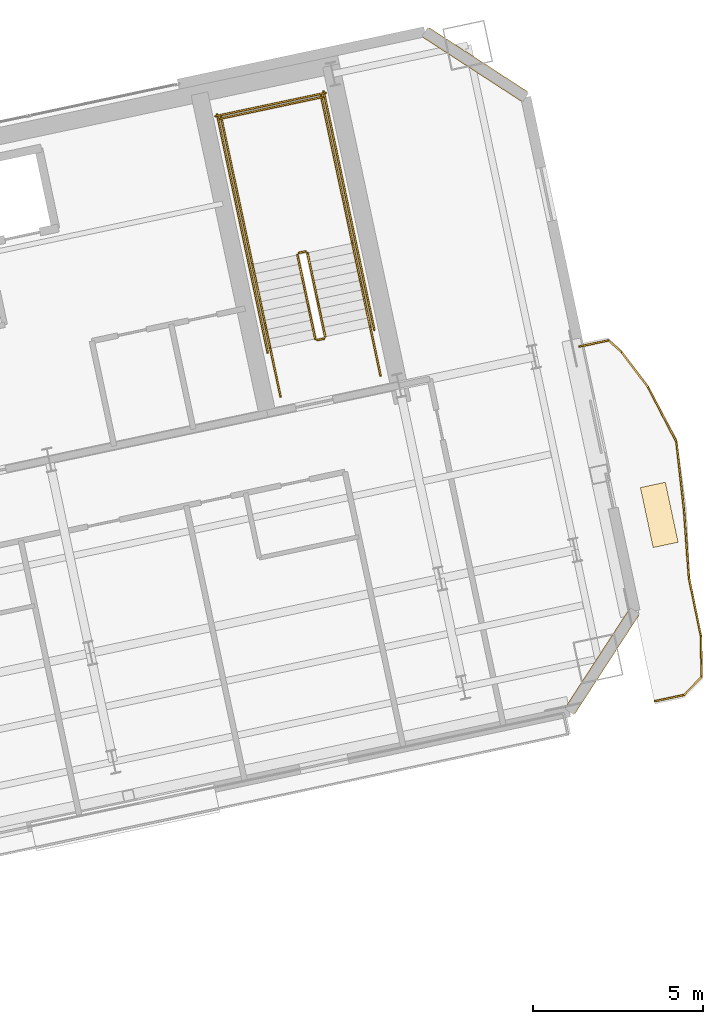
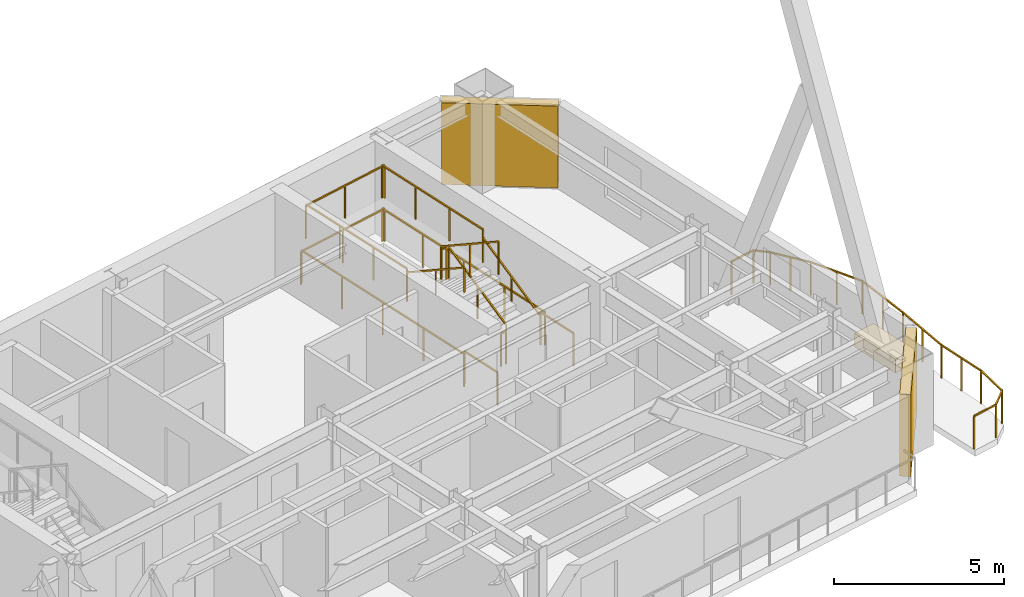
# One storey, part 19 of 19: 24 railings, 2 shading devices, 1 covering.
"""IFC4 building model written with IfcOpenShell, lengths in metres."""

from ifc_helpers import new_model, si_unit, direction, frame, origin, origin_2d, place, context, subcontext, project, spatial, rectangle, extrude, material, layer, layer_set, type_object, element, save


model = new_model("IFC4")

# Units and contexts
model_context = context("Model", 3, precision=1e-05, world=origin(), true_north=direction((0.0, 1.0)))
body_context = subcontext(model_context, "Body", "Model", "MODEL_VIEW")
ifc_project = project(units=[si_unit("LENGTHUNIT", "METRE"), si_unit("AREAUNIT", "SQUARE_METRE"), si_unit("VOLUMEUNIT", "CUBIC_METRE"), si_unit("PLANEANGLEUNIT", "RADIAN"), si_unit("MASSUNIT", "GRAM", prefix="KILO")], contexts=[model_context])

# Site, building, storey
site_placement = place(None, origin())
site = spatial("IfcSite", under=ifc_project, at=site_placement, CompositionType="ELEMENT")
building_placement = place(site_placement, origin())
building = spatial("IfcBuilding", under=site, at=building_placement, Name="Haevon Station Towers", CompositionType="ELEMENT")
storey_placement = place(building_placement, frame((0.0, 0.0, 156.0)))
storey = spatial("IfcBuildingStorey", under=building, at=storey_placement, Name="L42", CompositionType="ELEMENT", Elevation=156.0)

# Railings
ifc_material_1 = material(Name="Steel S355", Category="steel")
railing_type_1 = type_object("IfcRailingType", Name="GRD-EXT1200", PredefinedType="GUARDRAIL", material=ifc_material_1)
railing_1_placement = place(storey_placement, frame((126.807861328125, 32.541259765625, 0.0)))
element("IfcRailing", 1, at=railing_1_placement, inside=storey, type_object=railing_type_1, Name="L42 Perimeter Guardrail 1", PredefinedType="GUARDRAIL", context=body_context, shape_type="SweptSolid", body=[
    extrude(rectangle(XDim=0.048095703125, YDim=0.048095703125, at=origin_2d()), frame((0.0, 0.0, 1.17578125), z_axis=(0.977695451476, 0.210027627141, 0.0), x_axis=(-0.210027627141, 0.977695451476, 0.0)), (0.0, 0.0, 1.0), 0.869384765625),
    extrude(rectangle(XDim=0.0419921875, YDim=0.0419921875, at=origin_2d()), origin(), (0.0, 0.0, 1.0), 1.15185546875),
    extrude(rectangle(XDim=0.0419921875, YDim=0.0419921875, at=origin_2d()), frame((0.85009765625, 0.1826171875, 0.0)), (0.0, 0.0, 1.0), 1.15185546875),
])
railing_2_placement = place(storey_placement, frame((127.657958984375, 32.723876953125, 0.0)))
element("IfcRailing", 2, at=railing_2_placement, inside=storey, type_object=railing_type_1, Name="L42 Perimeter Guardrail 2", PredefinedType="GUARDRAIL", context=body_context, shape_type="SweptSolid", body=[
    extrude(rectangle(XDim=0.048095703125, YDim=0.048095703125, at=origin_2d()), frame((0.0, 0.0, 1.17578125), z_axis=(0.699844816207, 0.714294920343, 0.0), x_axis=(-0.714294920343, 0.699844816207, 0.0)), (0.0, 0.0, 1.0), 0.743408203125),
    extrude(rectangle(XDim=0.0419921875, YDim=0.0419921875, at=origin_2d()), origin(), (0.0, 0.0, 1.0), 1.15185546875),
    extrude(rectangle(XDim=0.0419921875, YDim=0.0419921875, at=origin_2d()), frame((0.520263671875, 0.531005859375, 0.0)), (0.0, 0.0, 1.0), 1.15185546875),
])
railing_3_placement = place(storey_placement, frame((128.17822265625, 33.2548828125, 0.0)))
element("IfcRailing", 3, at=railing_3_placement, inside=storey, type_object=railing_type_1, Name="L42 Perimeter Guardrail 3", PredefinedType="GUARDRAIL", context=body_context, shape_type="SweptSolid", body=[
    extrude(rectangle(XDim=0.048095703125, YDim=0.048095703125, at=origin_2d()), frame((0.0, 0.0, 1.17578125), z_axis=(-0.018230938012, 0.999833802639, 0.0), x_axis=(-0.999833802639, -0.018230938012, 0.0)), (0.0, 0.0, 1.0), 1.19189453125),
    extrude(rectangle(XDim=0.0419921875, YDim=0.0419921875, at=origin_2d()), origin(), (0.0, 0.0, 1.0), 1.15185546875),
    extrude(rectangle(XDim=0.0419921875, YDim=0.0419921875, at=origin_2d()), frame((-0.021728515625, 1.191650390625, 0.0)), (0.0, 0.0, 1.0), 1.15185546875),
])
railing_4_placement = place(storey_placement, frame((128.156494140625, 34.446533203125, 0.0)))
element("IfcRailing", 4, at=railing_4_placement, inside=storey, type_object=railing_type_1, Name="L42 Perimeter Guardrail 4", PredefinedType="GUARDRAIL", context=body_context, shape_type="SweptSolid", body=[
    extrude(rectangle(XDim=0.048095703125, YDim=0.048095703125, at=origin_2d()), frame((0.0, 0.0, 1.17578125), z_axis=(-0.200861770676, 0.979619594067, 0.0), x_axis=(-0.979619594067, -0.200861770676, 0.0)), (0.0, 0.0, 1.0), 1.750244140625),
    extrude(rectangle(XDim=0.0419921875, YDim=0.0419921875, at=origin_2d()), origin(), (0.0, 0.0, 1.0), 1.15185546875),
    extrude(rectangle(XDim=0.0419921875, YDim=0.0419921875, at=origin_2d()), frame((-0.17578125, 0.857421875, 0.0)), (0.0, 0.0, 1.0), 1.15185546875),
    extrude(rectangle(XDim=0.0419921875, YDim=0.0419921875, at=origin_2d()), frame((-0.3515625, 1.714599609375, 0.0)), (0.0, 0.0, 1.0), 1.15185546875),
])
railing_5_placement = place(storey_placement, frame((127.804931640625, 36.1611328125, 0.0)))
element("IfcRailing", 5, at=railing_5_placement, inside=storey, type_object=railing_type_1, Name="L42 Perimeter Guardrail 5", PredefinedType="GUARDRAIL", context=body_context, shape_type="SweptSolid", body=[
    extrude(rectangle(XDim=0.048095703125, YDim=0.048095703125, at=origin_2d()), frame((0.0, 0.0, 1.17578125), z_axis=(-0.072603881336, 0.997360855666, 0.0), x_axis=(-0.997360855666, -0.072603881336, 0.0)), (0.0, 0.0, 1.0), 2.007568359375),
    extrude(rectangle(XDim=0.0419921875, YDim=0.0419921875, at=origin_2d()), origin(), (0.0, 0.0, 1.0), 1.15185546875),
    extrude(rectangle(XDim=0.0419921875, YDim=0.0419921875, at=origin_2d()), frame((-0.07275390625, 1.0009765625, 0.0)), (0.0, 0.0, 1.0), 1.15185546875),
    extrude(rectangle(XDim=0.0419921875, YDim=0.0419921875, at=origin_2d()), frame((-0.145751953125, 2.002197265625, 0.0)), (0.0, 0.0, 1.0), 1.15185546875),
])
railing_6_placement = place(storey_placement, frame((127.6591796875, 38.163330078125, 0.0)))
element("IfcRailing", 6, at=railing_6_placement, inside=storey, type_object=railing_type_1, Name="L42 Perimeter Guardrail 6", PredefinedType="GUARDRAIL", context=body_context, shape_type="SweptSolid", body=[
    extrude(rectangle(XDim=0.048095703125, YDim=0.048095703125, at=origin_2d()), frame((0.0, 0.0, 1.17578125), z_axis=(-0.111367614102, 0.993779278577, 0.0), x_axis=(-0.993779278577, -0.111367614102, 0.0)), (0.0, 0.0, 1.0), 2.003662109375),
    extrude(rectangle(XDim=0.0419921875, YDim=0.0419921875, at=origin_2d()), origin(), (0.0, 0.0, 1.0), 1.15185546875),
    extrude(rectangle(XDim=0.0419921875, YDim=0.0419921875, at=origin_2d()), frame((-0.111572265625, 0.99560546875, 0.0)), (0.0, 0.0, 1.0), 1.15185546875),
    extrude(rectangle(XDim=0.0419921875, YDim=0.0419921875, at=origin_2d()), frame((-0.22314453125, 1.9912109375, 0.0)), (0.0, 0.0, 1.0), 1.15185546875),
])
railing_7_placement = place(storey_placement, frame((127.43603515625, 40.154541015625, 0.0)))
element("IfcRailing", 7, at=railing_7_placement, inside=storey, type_object=railing_type_1, Name="L42 Perimeter Guardrail 7", PredefinedType="GUARDRAIL", context=body_context, shape_type="SweptSolid", body=[
    extrude(rectangle(XDim=0.048095703125, YDim=0.048095703125, at=origin_2d()), frame((0.0, 0.0, 1.17578125), z_axis=(-0.460970518106, 0.887415450303, 0.0), x_axis=(-0.887415450303, -0.460970518106, 0.0)), (0.0, 0.0, 1.0), 1.810302734375),
    extrude(rectangle(XDim=0.0419921875, YDim=0.0419921875, at=origin_2d()), origin(), (0.0, 0.0, 1.0), 1.15185546875),
    extrude(rectangle(XDim=0.0419921875, YDim=0.0419921875, at=origin_2d()), frame((-0.417236328125, 0.80322265625, 0.0)), (0.0, 0.0, 1.0), 1.15185546875),
    extrude(rectangle(XDim=0.0419921875, YDim=0.0419921875, at=origin_2d()), frame((-0.83447265625, 1.6064453125, 0.0)), (0.0, 0.0, 1.0), 1.15185546875),
])
railing_8_placement = place(storey_placement, frame((126.6015625, 41.760986328125, 0.0)))
element("IfcRailing", 8, at=railing_8_placement, inside=storey, type_object=railing_type_1, Name="L42 Perimeter Guardrail 8", PredefinedType="GUARDRAIL", context=body_context, shape_type="SweptSolid", body=[
    extrude(rectangle(XDim=0.048095703125, YDim=0.048095703125, at=origin_2d()), frame((0.0, 0.0, 1.17578125), z_axis=(-0.602477349531, 0.798135980458, 0.0), x_axis=(-0.798135980458, -0.602477349531, 0.0)), (0.0, 0.0, 1.0), 1.29150390625),
    extrude(rectangle(XDim=0.0419921875, YDim=0.0419921875, at=origin_2d()), origin(), (0.0, 0.0, 1.0), 1.15185546875),
    extrude(rectangle(XDim=0.0419921875, YDim=0.0419921875, at=origin_2d()), frame((-0.38916015625, 0.515380859375, 0.0)), (0.0, 0.0, 1.0), 1.15185546875),
    extrude(rectangle(XDim=0.0419921875, YDim=0.0419921875, at=origin_2d()), frame((-0.778076171875, 1.03076171875, 0.0)), (0.0, 0.0, 1.0), 1.15185546875),
])
railing_9_placement = place(storey_placement, frame((125.823486328125, 42.791748046875, 0.0)))
element("IfcRailing", 9, at=railing_9_placement, inside=storey, type_object=railing_type_1, Name="L42 Perimeter Guardrail 9", PredefinedType="GUARDRAIL", context=body_context, shape_type="SweptSolid", body=[
    extrude(rectangle(XDim=0.048095703125, YDim=0.048095703125, at=origin_2d()), frame((0.0, 0.0, 1.17578125), z_axis=(-0.743341898555, 0.668911669694, 0.0), x_axis=(-0.668911669694, -0.743341898555, 0.0)), (0.0, 0.0, 1.0), 0.50830078125),
    extrude(rectangle(XDim=0.0419921875, YDim=0.0419921875, at=origin_2d()), origin(), (0.0, 0.0, 1.0), 1.15185546875),
    extrude(rectangle(XDim=0.0419921875, YDim=0.0419921875, at=origin_2d()), frame((-0.3779296875, 0.340087890625, 0.0)), (0.0, 0.0, 1.0), 1.15185546875),
])
railing_10_placement = place(storey_placement, frame((125.445556640625, 43.1318359375, 0.0)))
element("IfcRailing", 10, at=railing_10_placement, inside=storey, type_object=railing_type_1, Name="L42 Perimeter Guardrail 10", PredefinedType="GUARDRAIL", context=body_context, shape_type="SweptSolid", body=[
    extrude(rectangle(XDim=0.048095703125, YDim=0.048095703125, at=origin_2d()), frame((0.0, 0.0, 1.17578125), z_axis=(-0.978588498747, -0.205826504901, 0.0), x_axis=(0.205826504901, -0.978588498747, 0.0)), (0.0, 0.0, 1.0), 0.869384765625),
    extrude(rectangle(XDim=0.0419921875, YDim=0.0419921875, at=origin_2d()), origin(), (0.0, 0.0, 1.0), 1.15185546875),
    extrude(rectangle(XDim=0.0419921875, YDim=0.0419921875, at=origin_2d()), frame((-0.850830078125, -0.178955078125, 0.0)), (0.0, 0.0, 1.0), 1.15185546875),
])
railing_type_2 = type_object("IfcRailingType", Name="GRD-STR1200", PredefinedType="GUARDRAIL", material=ifc_material_1)
railing_11_placement = place(storey_placement, frame((117.128662109375, 43.23974609375, 0.1650390625)))
element("IfcRailing", 11, at=railing_11_placement, inside=storey, type_object=railing_type_2, Name="L42 ST4 Stair Guard 1", PredefinedType="GUARDRAIL", context=body_context, shape_type="SweptSolid", body=[
    extrude(rectangle(XDim=0.048095703125, YDim=0.048095703125, at=origin_2d()), frame((0.0, 0.0, 1.17578125), z_axis=(-0.179128856099, 0.842723639875, 0.507670877349), x_axis=(-0.978147030254, -0.207914374695, 0.0)), (0.0, 0.0, 1.0), 2.9248046875),
    extrude(rectangle(XDim=0.0419921875, YDim=0.0419921875, at=origin_2d()), origin(), (0.0, 0.0, 1.0), 1.15185546875),
    extrude(rectangle(XDim=0.0419921875, YDim=0.0419921875, at=origin_2d()), frame((-0.261962890625, 1.232421875, 0.742431640625)), (0.0, 0.0, 1.0), 1.15185546875),
    extrude(rectangle(XDim=0.0419921875, YDim=0.0419921875, at=origin_2d()), frame((-0.52392578125, 2.46484375, 1.48486328125)), (0.0, 0.0, 1.0), 1.15185546875),
])
railing_12_placement = place(storey_placement, frame((116.54541015625, 45.7431640625, 1.64990234375)))
element("IfcRailing", 12, at=railing_12_placement, inside=storey, type_object=railing_type_2, Name="L42 ST4 Stair Guard 2", PredefinedType="GUARDRAIL", context=body_context, shape_type="SweptSolid", body=[
    extrude(rectangle(XDim=0.048095703125, YDim=0.048095703125, at=origin_2d()), frame((0.0, 0.0, 1.17578125), z_axis=(-0.97826412705, -0.207362720198, 0.0), x_axis=(0.207362720198, -0.97826412705, 0.0)), (0.0, 0.0, 1.0), 0.2001953125),
    extrude(rectangle(XDim=0.0419921875, YDim=0.0419921875, at=origin_2d()), origin(), (0.0, 0.0, 1.0), 1.15185546875),
    extrude(rectangle(XDim=0.0419921875, YDim=0.0419921875, at=origin_2d()), frame((-0.19580078125, -0.04150390625, 0.0)), (0.0, 0.0, 1.0), 1.15185546875),
])
railing_13_placement = place(storey_placement, frame((117.925048828125, 45.9853515625, 1.64990234375)))
element("IfcRailing", 13, at=railing_13_placement, inside=storey, type_object=railing_type_2, Name="L42 ST4 Stair Guard 3", PredefinedType="GUARDRAIL", context=body_context, shape_type="SweptSolid", body=[
    extrude(rectangle(XDim=0.048095703125, YDim=0.048095703125, at=origin_2d()), frame((0.0, 0.0, 1.17578125), z_axis=(-0.207876551949, 0.978155069071, 0.0), x_axis=(-0.978155069071, -0.207876551949, 0.0)), (0.0, 0.0, 1.0), 4.429931640625),
    extrude(rectangle(XDim=0.0419921875, YDim=0.0419921875, at=origin_2d()), origin(), (0.0, 0.0, 1.0), 1.15185546875),
    extrude(rectangle(XDim=0.0419921875, YDim=0.0419921875, at=origin_2d()), frame((-0.306884765625, 1.4443359375, 0.0)), (0.0, 0.0, 1.0), 1.15185546875),
    extrude(rectangle(XDim=0.0419921875, YDim=0.0419921875, at=origin_2d()), frame((-0.614013671875, 2.888916015625, 0.0)), (0.0, 0.0, 1.0), 1.15185546875),
    extrude(rectangle(XDim=0.0419921875, YDim=0.0419921875, at=origin_2d()), frame((-0.9208984375, 4.333251953125, 0.0)), (0.0, 0.0, 1.0), 1.15185546875),
])
railing_14_placement = place(storey_placement, frame((114.99072265625, 45.361572265625, 1.64990234375)))
element("IfcRailing", 14, at=railing_14_placement, inside=storey, type_object=railing_type_2, Name="L42 ST4 Stair Guard 4", PredefinedType="GUARDRAIL", context=body_context, shape_type="SweptSolid", body=[
    extrude(rectangle(XDim=0.048095703125, YDim=0.048095703125, at=origin_2d()), frame((0.0, 0.0, 1.17578125), z_axis=(-0.207929280007, 0.978143861871, 0.0), x_axis=(-0.978143861871, -0.207929280007, 0.0)), (0.0, 0.0, 1.0), 4.43017578125),
    extrude(rectangle(XDim=0.0419921875, YDim=0.0419921875, at=origin_2d()), origin(), (0.0, 0.0, 1.0), 1.15185546875),
    extrude(rectangle(XDim=0.0419921875, YDim=0.0419921875, at=origin_2d()), frame((-0.30712890625, 1.4443359375, 0.0)), (0.0, 0.0, 1.0), 1.15185546875),
    extrude(rectangle(XDim=0.0419921875, YDim=0.0419921875, at=origin_2d()), frame((-0.614013671875, 2.888916015625, 0.0)), (0.0, 0.0, 1.0), 1.15185546875),
    extrude(rectangle(XDim=0.0419921875, YDim=0.0419921875, at=origin_2d()), frame((-0.921142578125, 4.333251953125, 0.0)), (0.0, 0.0, 1.0), 1.15185546875),
])
railing_15_placement = place(storey_placement, frame((117.0634765625, 50.280029296875, 1.64990234375)))
element("IfcRailing", 15, at=railing_15_placement, inside=storey, type_object=railing_type_2, Name="L42 ST4 Stair Guard 5", PredefinedType="GUARDRAIL", context=body_context, shape_type="SweptSolid", body=[
    extrude(rectangle(XDim=0.048095703125, YDim=0.048095703125, at=origin_2d()), frame((0.0, 0.0, 1.17578125), z_axis=(-0.978146839882, -0.207915270313, 0.0), x_axis=(0.207915270313, -0.978146839882, 0.0)), (0.0, 0.0, 1.0), 3.099853515625),
    extrude(rectangle(XDim=0.0419921875, YDim=0.0419921875, at=origin_2d()), origin(), (0.0, 0.0, 1.0), 1.15185546875),
    extrude(rectangle(XDim=0.0419921875, YDim=0.0419921875, at=origin_2d()), frame((-1.51611328125, -0.322265625, 0.0)), (0.0, 0.0, 1.0), 1.15185546875),
    extrude(rectangle(XDim=0.0419921875, YDim=0.0419921875, at=origin_2d()), frame((-3.0322265625, -0.64453125, 0.0)), (0.0, 0.0, 1.0), 1.15185546875),
])
railing_16_placement = place(storey_placement, frame((116.311279296875, 45.642333984375, 1.81494140625)))
element("IfcRailing", 16, at=railing_16_placement, inside=storey, type_object=railing_type_2, Name="L42 ST4 Stair Guard 6", PredefinedType="GUARDRAIL", context=body_context, shape_type="SweptSolid", body=[
    extrude(rectangle(XDim=0.048095703125, YDim=0.048095703125, at=origin_2d()), frame((0.0, 0.0, 1.17578125), z_axis=(0.179108667068, -0.842712120868, 0.50769712105), x_axis=(0.978151217824, 0.207894673017, 0.0)), (0.0, 0.0, 1.0), 2.92529296875),
    extrude(rectangle(XDim=0.0419921875, YDim=0.0419921875, at=origin_2d()), origin(), (0.0, 0.0, 1.0), 1.15185546875),
    extrude(rectangle(XDim=0.0419921875, YDim=0.0419921875, at=origin_2d()), frame((0.261962890625, -1.232421875, 0.74267578125)), (0.0, 0.0, 1.0), 1.15185546875),
    extrude(rectangle(XDim=0.0419921875, YDim=0.0419921875, at=origin_2d()), frame((0.52392578125, -2.465087890625, 1.485107421875)), (0.0, 0.0, 1.0), 1.15185546875),
])
railing_17_placement = place(storey_placement, frame((117.090087890625, 43.180419921875, 0.0)))
element("IfcRailing", 17, at=railing_17_placement, inside=storey, type_object=railing_type_2, Name="L42 ST4 Stair Guard 7", PredefinedType="GUARDRAIL", context=body_context, shape_type="SweptSolid", body=[
    extrude(rectangle(XDim=0.048095703125, YDim=0.048095703125, at=origin_2d()), frame((0.0, 0.0, 1.17578125), z_axis=(-0.978211583308, -0.207610448392, 0.0), x_axis=(0.207610448392, -0.978211583308, 0.0)), (0.0, 0.0, 1.0), 0.199951171875),
    extrude(rectangle(XDim=0.0419921875, YDim=0.0419921875, at=origin_2d()), origin(), (0.0, 0.0, 1.0), 1.15185546875),
    extrude(rectangle(XDim=0.0419921875, YDim=0.0419921875, at=origin_2d()), frame((-0.195556640625, -0.04150390625, 0.0)), (0.0, 0.0, 1.0), 1.15185546875),
])
for number, where, name in (
    (18, (118.75048828125, 42.10205078125, 0.0), "L42 ST4 Stair Guard 8"),
    (19, (115.816162109375, 41.478271484375, 0.0), "L42 ST4 Stair Guard 9"),
):
    element("IfcRailing", number, at=place(storey_placement, frame(where)), inside=storey, type_object=railing_type_2, Name=name, PredefinedType="GUARDRAIL", context=body_context, shape_type="SweptSolid", body=[
        extrude(rectangle(XDim=0.048095703125, YDim=0.048095703125, at=origin_2d()), frame((0.0, 0.0, 1.17578125), z_axis=(-0.207919161079, 0.978146012851, 0.0), x_axis=(-0.978146012851, -0.207919161079, 0.0)), (0.0, 0.0, 1.0), 1.4501953125),
        extrude(rectangle(XDim=0.0419921875, YDim=0.0419921875, at=origin_2d()), origin(), (0.0, 0.0, 1.0), 1.15185546875),
        extrude(rectangle(XDim=0.0419921875, YDim=0.0419921875, at=origin_2d()), frame((-0.301513671875, 1.41845703125, 0.0)), (0.0, 0.0, 1.0), 1.15185546875),
    ])
railing_18_placement = place(storey_placement, frame((118.567626953125, 43.443359375, 0.0)))
element("IfcRailing", 20, at=railing_18_placement, inside=storey, type_object=railing_type_2, Name="L42 ST4 Stair Guard 10", PredefinedType="GUARDRAIL", context=body_context, shape_type="SweptSolid", body=[
    extrude(rectangle(XDim=0.048095703125, YDim=0.048095703125, at=origin_2d()), frame((0.0, 0.0, 1.17578125), z_axis=(-0.207908168386, 0.978148349443, 0.0), x_axis=(-0.978148349443, -0.207908168386, 0.0)), (0.0, 0.0, 1.0), 7.150146484375),
    extrude(rectangle(XDim=0.0419921875, YDim=0.0419921875, at=origin_2d()), origin(), (0.0, 0.0, 1.0), 1.15185546875),
    extrude(rectangle(XDim=0.0419921875, YDim=0.0419921875, at=origin_2d()), frame((-0.37158203125, 1.74853515625, 0.0)), (0.0, 0.0, 1.0), 1.15185546875),
    extrude(rectangle(XDim=0.0419921875, YDim=0.0419921875, at=origin_2d()), frame((-0.7431640625, 3.4970703125, 0.0)), (0.0, 0.0, 1.0), 1.15185546875),
    extrude(rectangle(XDim=0.0419921875, YDim=0.0419921875, at=origin_2d()), frame((-1.114990234375, 5.245361328125, 0.0)), (0.0, 0.0, 1.0), 1.15185546875),
    extrude(rectangle(XDim=0.0419921875, YDim=0.0419921875, at=origin_2d()), frame((-1.486572265625, 6.993896484375, 0.0)), (0.0, 0.0, 1.0), 1.15185546875),
])
railing_19_placement = place(storey_placement, frame((115.4375, 42.778076171875, 0.0)))
element("IfcRailing", 21, at=railing_19_placement, inside=storey, type_object=railing_type_2, Name="L42 ST4 Stair Guard 11", PredefinedType="GUARDRAIL", context=body_context, shape_type="SweptSolid", body=[
    extrude(rectangle(XDim=0.048095703125, YDim=0.048095703125, at=origin_2d()), frame((0.0, 0.0, 1.17578125), z_axis=(-0.207882442208, 0.978153817261, 0.0), x_axis=(-0.978153817261, -0.207882442208, 0.0)), (0.0, 0.0, 1.0), 7.14990234375),
    extrude(rectangle(XDim=0.0419921875, YDim=0.0419921875, at=origin_2d()), origin(), (0.0, 0.0, 1.0), 1.15185546875),
    extrude(rectangle(XDim=0.0419921875, YDim=0.0419921875, at=origin_2d()), frame((-0.37158203125, 1.74853515625, 0.0)), (0.0, 0.0, 1.0), 1.15185546875),
    extrude(rectangle(XDim=0.0419921875, YDim=0.0419921875, at=origin_2d()), frame((-0.7431640625, 3.496826171875, 0.0)), (0.0, 0.0, 1.0), 1.15185546875),
    extrude(rectangle(XDim=0.0419921875, YDim=0.0419921875, at=origin_2d()), frame((-1.11474609375, 5.2451171875, 0.0)), (0.0, 0.0, 1.0), 1.15185546875),
    extrude(rectangle(XDim=0.0419921875, YDim=0.0419921875, at=origin_2d()), frame((-1.486328125, 6.99365234375, 0.0)), (0.0, 0.0, 1.0), 1.15185546875),
])
railing_20_placement = place(storey_placement, frame((117.140380859375, 50.398681640625, 0.0)))
element("IfcRailing", 22, at=railing_20_placement, inside=storey, type_object=railing_type_2, Name="L42 ST4 Stair Guard 12", PredefinedType="GUARDRAIL", context=body_context, shape_type="SweptSolid", body=[
    extrude(rectangle(XDim=0.048095703125, YDim=0.048095703125, at=origin_2d()), frame((0.0, 0.0, 1.17578125), z_axis=(-0.978135717418, -0.207967589567, 0.0), x_axis=(0.207967589567, -0.978135717418, 0.0)), (0.0, 0.0, 1.0), 3.300048828125),
    extrude(rectangle(XDim=0.0419921875, YDim=0.0419921875, at=origin_2d()), origin(), (0.0, 0.0, 1.0), 1.15185546875),
    extrude(rectangle(XDim=0.0419921875, YDim=0.0419921875, at=origin_2d()), frame((-1.61376953125, -0.34326171875, 0.0)), (0.0, 0.0, 1.0), 1.15185546875),
    extrude(rectangle(XDim=0.0419921875, YDim=0.0419921875, at=origin_2d()), frame((-3.227783203125, -0.686279296875, 0.0)), (0.0, 0.0, 1.0), 1.15185546875),
])
railing_type_3 = type_object("IfcRailingType", Name="HND-STR900", PredefinedType="HANDRAIL", material=ifc_material_1)
railing_21_placement = place(storey_placement, frame((118.448974609375, 43.5205078125, 0.1650390625)))
element("IfcRailing", 23, at=railing_21_placement, inside=storey, type_object=railing_type_3, Name="L42 ST4 Stair Handrail 1", PredefinedType="HANDRAIL", context=body_context, shape_type="SweptSolid", body=[
    extrude(rectangle(XDim=0.048095703125, YDim=0.048095703125, at=origin_2d()), frame((0.0, 0.0, 0.8759765625), z_axis=(-0.179128856099, 0.842723639875, 0.507670877349), x_axis=(-0.978147030254, -0.207914374695, 0.0)), (0.0, 0.0, 1.0), 2.9248046875),
    extrude(rectangle(XDim=0.0419921875, YDim=0.0419921875, at=origin_2d()), origin(), (0.0, 0.0, 1.0), 0.851806640625),
    extrude(rectangle(XDim=0.0419921875, YDim=0.0419921875, at=origin_2d()), frame((-0.261962890625, 1.232421875, 0.742431640625)), (0.0, 0.0, 1.0), 0.851806640625),
    extrude(rectangle(XDim=0.0419921875, YDim=0.0419921875, at=origin_2d()), frame((-0.52392578125, 2.46484375, 1.48486328125)), (0.0, 0.0, 1.0), 0.851806640625),
])
railing_22_placement = place(storey_placement, frame((114.99072265625, 45.361572265625, 1.81494140625)))
element("IfcRailing", 24, at=railing_22_placement, inside=storey, type_object=railing_type_3, Name="L42 ST4 Stair Handrail 2", PredefinedType="HANDRAIL", context=body_context, shape_type="SweptSolid", body=[
    extrude(rectangle(XDim=0.048095703125, YDim=0.048095703125, at=origin_2d()), frame((0.0, 0.0, 0.8759765625), z_axis=(0.179121265225, -0.842687928106, 0.507732831485), x_axis=(0.978147030254, 0.207914374695, 0.0)), (0.0, 0.0, 1.0), 2.925048828125),
    extrude(rectangle(XDim=0.0419921875, YDim=0.0419921875, at=origin_2d()), origin(), (0.0, 0.0, 1.0), 0.851806640625),
    extrude(rectangle(XDim=0.0419921875, YDim=0.0419921875, at=origin_2d()), frame((0.261962890625, -1.232421875, 0.74267578125)), (0.0, 0.0, 1.0), 0.851806640625),
    extrude(rectangle(XDim=0.0419921875, YDim=0.0419921875, at=origin_2d()), frame((0.52392578125, -2.46484375, 1.485107421875)), (0.0, 0.0, 1.0), 0.851806640625),
])

# Covering
ifc_material_2 = material(Name="Architectural planter GRC", Category="concrete")
ifc_layer_1 = layer(ifc_material_2, 0.550048828125)
ifc_layer_set_1 = layer_set([ifc_layer_1], Name="Architectural planter GRC")
covering_type = type_object("IfcCoveringType", Name="PLN-GRC550", PredefinedType="MOLDING", material=ifc_layer_set_1)
covering_placement = place(storey_placement, frame((126.93359375, 38.009033203125, 0.0), z_axis=(0.0, 0.0, 1.0), x_axis=(0.978147600734, 0.207911690818, 0.0)))
element("IfcCovering", 25, at=covering_placement, inside=storey, type_object=covering_type, Name="Tower 2 L42 Scalloped Balcony PLANTER", PredefinedType="MOLDING", context=body_context, shape_type="SweptSolid", body=[
    extrude(rectangle(XDim=0.75, YDim=1.800048828125, at=origin_2d()), origin(), (0.0, 0.0, 1.0), 0.5),
])

# Shading devices
ifc_material_3 = material(Name="Anodised aluminium 6063-T6", Category="aluminium")
ifc_layer_2 = layer(ifc_material_3, 0.139892578125)
ifc_layer_set_2 = layer_set([ifc_layer_2], Name="Anodised aluminium 6063-T6")
shading_device_type = type_object("IfcShadingDeviceType", Name="SHD-WIND-BAFFLE", PredefinedType="SHUTTER", material=ifc_layer_set_2)
for number, where, z_axis, x_axis, name in (
    (26, (121.533447265625, 51.230224609375, 0.0498046875), (0.0, 0.0, 1.0), (0.838670519647, -0.544639109388, 0.0), "Tower 2 L42 Wind-Corner Aerofoil Baffle NEC"),
    (27, (125.25732421875, 33.711669921875, 0.0498046875), (0.0, 0.0, 1.0), (-0.544639109388, -0.838670519647, 0.0), "Tower 2 L42 Wind-Corner Aerofoil Baffle SEC"),
):
    element("IfcShadingDevice", number, at=place(storey_placement, frame(where, z_axis=z_axis, x_axis=x_axis)), inside=storey, type_object=shading_device_type, Name=name, PredefinedType="SHUTTER", context=body_context, shape_type="SweptSolid", body=[
        extrude(rectangle(XDim=3.435546875, YDim=0.340087890625, at=origin_2d()), origin(), (0.0, 0.0, 1.0), 2.929931640625),
    ])

save(model, "model.ifc")
